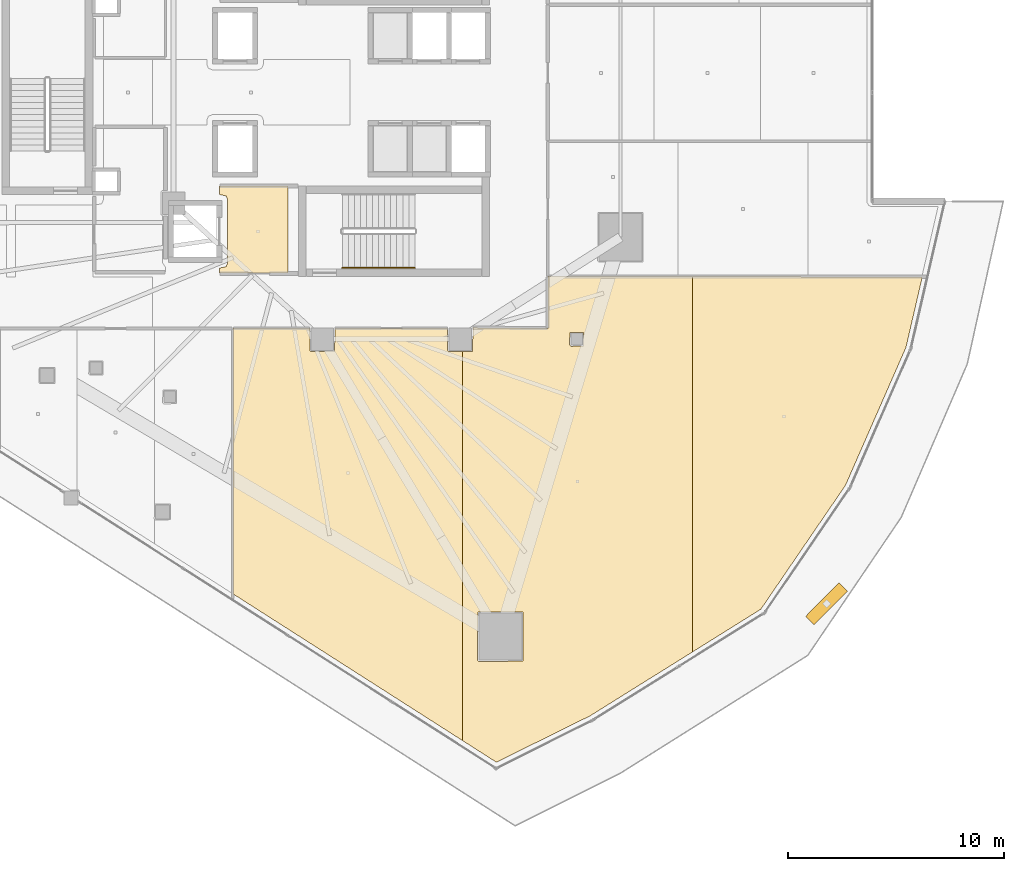
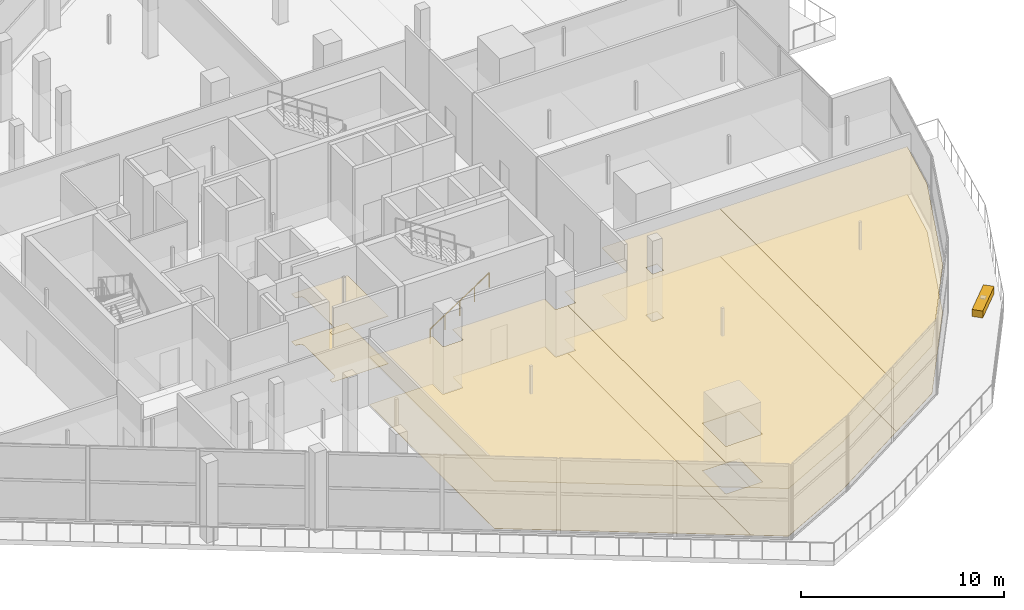
# One storey, part 35 of 42: 8 coverings, 1 railing, 1 shading device.
"""IFC4 building model written with IfcOpenShell, lengths in metres."""

from ifc_helpers import new_model, si_unit, direction, frame, origin, origin_2d, place, context, subcontext, project, spatial, polyline, rectangle, circle, outline, extrude, material, layer, layer_set, type_object, element, save


model = new_model("IFC4")

# Units and contexts
model_context = context("Model", 3, precision=1e-05, world=origin(), true_north=direction((0.0, 1.0)))
body_context = subcontext(model_context, "Body", "Model", "MODEL_VIEW")
ifc_project = project(units=[si_unit("LENGTHUNIT", "METRE"), si_unit("AREAUNIT", "SQUARE_METRE"), si_unit("VOLUMEUNIT", "CUBIC_METRE"), si_unit("PLANEANGLEUNIT", "RADIAN"), si_unit("MASSUNIT", "GRAM", prefix="KILO")], contexts=[model_context])

# Site, building, storey
site_placement = place(None, origin())
site = spatial("IfcSite", under=ifc_project, at=site_placement, CompositionType="ELEMENT")
building_placement = place(site_placement, origin())
building = spatial("IfcBuilding", under=site, at=building_placement, Name="Qorvath Tower", CompositionType="ELEMENT")
storey_placement = place(building_placement, frame((0.0, 0.0, 105.0)))
storey = spatial("IfcBuildingStorey", under=building, at=storey_placement, Name="L23", CompositionType="ELEMENT", Elevation=105.0)

# Coverings
ifc_material_1 = material(Name="Acoustic mineral fibre ceiling tile", Category="gypsum")
ifc_layer_1 = layer(ifc_material_1, 0.030029296875)
ifc_layer_set_1 = layer_set([ifc_layer_1], Name="COV-CEIL")
covering_type_1 = type_object("IfcCoveringType", Name="COV-CEIL", PredefinedType="CEILING", material=ifc_layer_set_1)
covering_1_placement = place(storey_placement, frame((0.0, 0.0, 2.85009765625)))
element("IfcCovering", 1, at=covering_1_placement, inside=storey, type_object=covering_type_1, Name="L23 Suspended Acoustic Ceiling 002", PredefinedType="CEILING", context=body_context, shape_type="SweptSolid", body=[
    extrude(outline(polyline([(-25.18994140625, -8.39501953125), (-25.18994140625, -4.35498046875), (-28.375, -4.35498046875), (-28.375, -4.739990234375), (-28.063232421875, -4.813232421875), (-27.989990234375, -4.989990234375), (-27.989990234375, -7.909912109375), (-28.063232421875, -8.086669921875), (-28.375, -8.159912109375), (-28.375, -8.39501953125), (-25.18994140625, -8.39501953125)])), origin(), (0.0, 0.0, 1.0), 0.030029296875),
])
covering_2_placement = place(storey_placement, frame((0.0, 0.0, 2.85009765625)))
element("IfcCovering", 2, at=covering_2_placement, inside=storey, type_object=covering_type_1, Name="L23 Suspended Acoustic Ceiling 019", PredefinedType="CEILING", context=body_context, shape_type="SweptSolid", body=[
    extrude(outline(polyline([(-17.784912109375, -11.97509765625), (-17.784912109375, -10.962890625), (-23.014892578125, -10.962890625), (-23.032470703125, -12.017333984375), (-24.125, -12.034912109375), (-24.18505859375, -11.97509765625), (-24.18505859375, -10.962890625), (-27.75, -10.962890625), (-27.75, -23.266845703125), (-17.09033203125, -30.07958984375), (-17.09033203125, -12.02490234375), (-17.72509765625, -12.034912109375), (-17.784912109375, -11.97509765625)])), origin(), (0.0, 0.0, 1.0), 0.030029296875),
])
covering_3_placement = place(storey_placement, frame((0.0, 0.0, 2.85009765625)))
element("IfcCovering", 3, at=covering_3_placement, inside=storey, type_object=covering_type_1, Name="L23 Suspended Acoustic Ceiling 020", PredefinedType="CEILING", context=body_context, shape_type="SweptSolid", body=[
    extrude(outline(polyline([(-17.09033203125, -12.02490234375), (-17.09033203125, -30.07958984375), (-15.527587890625, -31.07861328125), (-11.175537109375, -28.9248046875), (-6.4306640625, -25.9619140625), (-6.4306640625, -8.556640625), (-13.136962890625, -8.554931640625), (-13.138427734375, -10.961669921875), (-16.616455078125, -10.92138671875), (-16.632568359375, -12.017333984375), (-17.09033203125, -12.02490234375)]), holes=[polyline([(-12.135009765625, -11.72509765625), (-12.117431640625, -11.132568359375), (-11.482666015625, -11.132568359375), (-11.482666015625, -11.767333984375), (-12.074951171875, -11.784912109375), (-12.135009765625, -11.72509765625)]), polyline([(-16.404296875, -26.34619140625), (-16.38671875, -24.103759765625), (-14.3017578125, -24.103759765625), (-14.3017578125, -26.388427734375), (-16.34423828125, -26.406005859375), (-16.404296875, -26.34619140625)])]), origin(), (0.0, 0.0, 1.0), 0.030029296875),
])
covering_4_placement = place(storey_placement, frame((0.0, 0.0, 2.85009765625)))
element("IfcCovering", 4, at=covering_4_placement, inside=storey, type_object=covering_type_1, Name="L23 Suspended Acoustic Ceiling 021", PredefinedType="CEILING", context=body_context, shape_type="SweptSolid", body=[
    extrude(outline(polyline([(-6.4306640625, -8.556640625), (-6.4306640625, -25.9619140625), (-3.26025390625, -23.982177734375), (0.666748046875, -18.2333984375), (3.47265625, -11.83349609375), (4.229248046875, -8.5595703125), (-6.4306640625, -8.556640625)])), origin(), (0.0, 0.0, 1.0), 0.030029296875),
])
ifc_material_2 = material(Name="Low-VOC modular carpet tile", Category="textile")
ifc_layer_2 = layer(ifc_material_2, 0.014892578125)
ifc_layer_set_2 = layer_set([ifc_layer_2], Name="COV-FLOOR-CPT")
covering_type_2 = type_object("IfcCoveringType", Name="COV-FLOOR-CPT", PredefinedType="FLOORING", material=ifc_layer_set_2)
covering_5_placement = place(storey_placement, origin())
element("IfcCovering", 5, at=covering_5_placement, inside=storey, type_object=covering_type_2, Name="L23 Floor Finish 019", PredefinedType="FLOORING", context=body_context, shape_type="SweptSolid", body=[
    extrude(outline(polyline([(-17.784912109375, -11.97509765625), (-17.784912109375, -10.962890625), (-23.014892578125, -10.962890625), (-23.032470703125, -12.017333984375), (-24.125, -12.034912109375), (-24.18505859375, -11.97509765625), (-24.18505859375, -10.962890625), (-27.75, -10.962890625), (-27.75, -23.266845703125), (-17.09033203125, -30.07958984375), (-17.09033203125, -12.02490234375), (-17.72509765625, -12.034912109375), (-17.784912109375, -11.97509765625)])), origin(), (0.0, 0.0, 1.0), 0.014892578125),
])
covering_6_placement = place(storey_placement, origin())
element("IfcCovering", 6, at=covering_6_placement, inside=storey, type_object=covering_type_2, Name="L23 Floor Finish 020", PredefinedType="FLOORING", context=body_context, shape_type="SweptSolid", body=[
    extrude(outline(polyline([(-17.09033203125, -12.02490234375), (-17.09033203125, -30.07958984375), (-15.527587890625, -31.07861328125), (-11.175537109375, -28.9248046875), (-6.4306640625, -25.9619140625), (-6.4306640625, -8.556640625), (-13.136962890625, -8.554931640625), (-13.138427734375, -10.961669921875), (-16.616455078125, -10.92138671875), (-16.632568359375, -12.017333984375), (-17.09033203125, -12.02490234375)]), holes=[polyline([(-12.135009765625, -11.72509765625), (-12.117431640625, -11.132568359375), (-11.482666015625, -11.132568359375), (-11.482666015625, -11.767333984375), (-12.074951171875, -11.784912109375), (-12.135009765625, -11.72509765625)]), polyline([(-16.404296875, -26.34619140625), (-16.38671875, -24.103759765625), (-14.3017578125, -24.103759765625), (-14.3017578125, -26.388427734375), (-16.34423828125, -26.406005859375), (-16.404296875, -26.34619140625)])]), origin(), (0.0, 0.0, 1.0), 0.014892578125),
])
covering_7_placement = place(storey_placement, origin())
element("IfcCovering", 7, at=covering_7_placement, inside=storey, type_object=covering_type_2, Name="L23 Floor Finish 021", PredefinedType="FLOORING", context=body_context, shape_type="SweptSolid", body=[
    extrude(outline(polyline([(-6.4306640625, -8.556640625), (-6.4306640625, -25.9619140625), (-3.26025390625, -23.982177734375), (0.666748046875, -18.2333984375), (3.47265625, -11.83349609375), (4.229248046875, -8.5595703125), (-6.4306640625, -8.556640625)])), origin(), (0.0, 0.0, 1.0), 0.014892578125),
])
ifc_material_3 = material(Name="Polished epoxy terrazzo flooring", Category="concrete")
ifc_layer_3 = layer(ifc_material_3, 0.02001953125)
ifc_layer_set_3 = layer_set([ifc_layer_3], Name="COV-FLOOR-TRZ")
covering_type_3 = type_object("IfcCoveringType", Name="COV-FLOOR-TRZ", PredefinedType="FLOORING", material=ifc_layer_set_3)
covering_8_placement = place(storey_placement, origin())
element("IfcCovering", 8, at=covering_8_placement, inside=storey, type_object=covering_type_3, Name="L23 Floor Finish 002", PredefinedType="FLOORING", context=body_context, shape_type="SweptSolid", body=[
    extrude(outline(polyline([(-25.18994140625, -8.39501953125), (-25.18994140625, -4.35498046875), (-28.375, -4.35498046875), (-28.375, -4.739990234375), (-28.063232421875, -4.813232421875), (-27.989990234375, -4.989990234375), (-27.989990234375, -7.909912109375), (-28.063232421875, -8.086669921875), (-28.375, -8.159912109375), (-28.375, -8.39501953125), (-25.18994140625, -8.39501953125)])), origin(), (0.0, 0.0, 1.0), 0.014892578125),
])

# Railing
ifc_material_4 = material(Name="Brushed stainless steel AISI 304", Category="steel")
railing_type = type_object("IfcRailingType", Name="RL-STR-HND", PredefinedType="HANDRAIL", material=ifc_material_4)
railing_placement = place(storey_placement, frame((-22.669921875, -8.14990234375, 0.1845703125)))
element("IfcRailing", 9, at=railing_placement, inside=storey, type_object=railing_type, Name="L23 TS2 stair handrail 1", PredefinedType="HANDRAIL", context=body_context, shape_type="SweptSolid", body=[
    extrude(circle(Radius=0.02392578125, at=origin_2d()), frame((0.0, 0.0, 0.8759765625), z_axis=(0.834858096282, 0.0, 0.550465220583), x_axis=(0.0, 1.0, 0.0)), (0.0, 0.0, 1.0), 4.0244140625),
    extrude(circle(Radius=0.02099609375, at=origin_2d()), origin(), (0.0, 0.0, 1.0), 0.851806640625),
    extrude(circle(Radius=0.02099609375, at=origin_2d()), frame((0.83984375, 0.0, 0.5537109375)), (0.0, 0.0, 1.0), 0.851806640625),
    extrude(circle(Radius=0.02099609375, at=origin_2d()), frame((1.679931640625, 0.0, 1.107666015625)), (0.0, 0.0, 1.0), 0.851806640625),
    extrude(circle(Radius=0.02099609375, at=origin_2d()), frame((2.52001953125, 0.0, 1.66162109375)), (0.0, 0.0, 1.0), 0.851806640625),
    extrude(circle(Radius=0.02099609375, at=origin_2d()), frame((3.35986328125, 0.0, 2.21533203125)), (0.0, 0.0, 1.0), 0.851806640625),
])

# Shading device
ifc_material_5 = material(Name="Anodised bronze-champagne aluminium", Category="aluminium")
shading_device_type = type_object("IfcShadingDeviceType", Name="SD-LOUVRE", PredefinedType="JALOUSIE", material=ifc_material_5)
shading_device_placement = place(storey_placement, frame((-0.210205078125, -23.724853515625, 4.10009765625), z_axis=(0.0, 0.0, 1.0), x_axis=(0.705024210341, 0.70918323643, 0.0)))
element("IfcShadingDevice", 10, at=shading_device_placement, inside=storey, type_object=shading_device_type, Name="Sinusoidal Wave Louvre Blade L23-02", PredefinedType="NOTDEFINED", context=body_context, shape_type="SweptSolid", body=[
    extrude(rectangle(XDim=2.199951171875, YDim=0.550048828125, at=origin_2d()), origin(), (0.0, 0.0, 1.0), 0.419921875),
])

save(model, "model.ifc")
